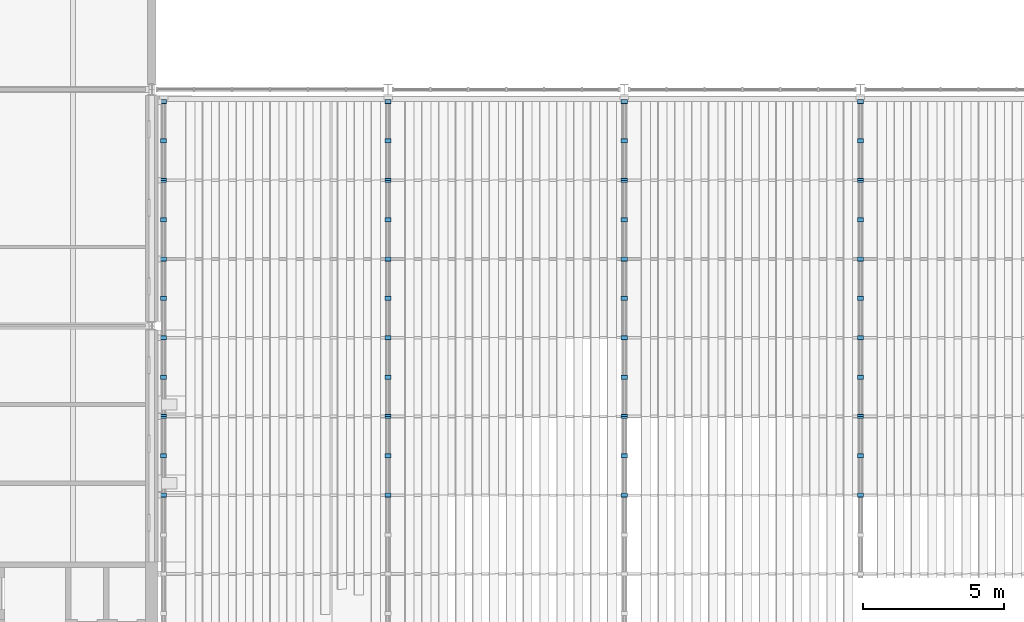
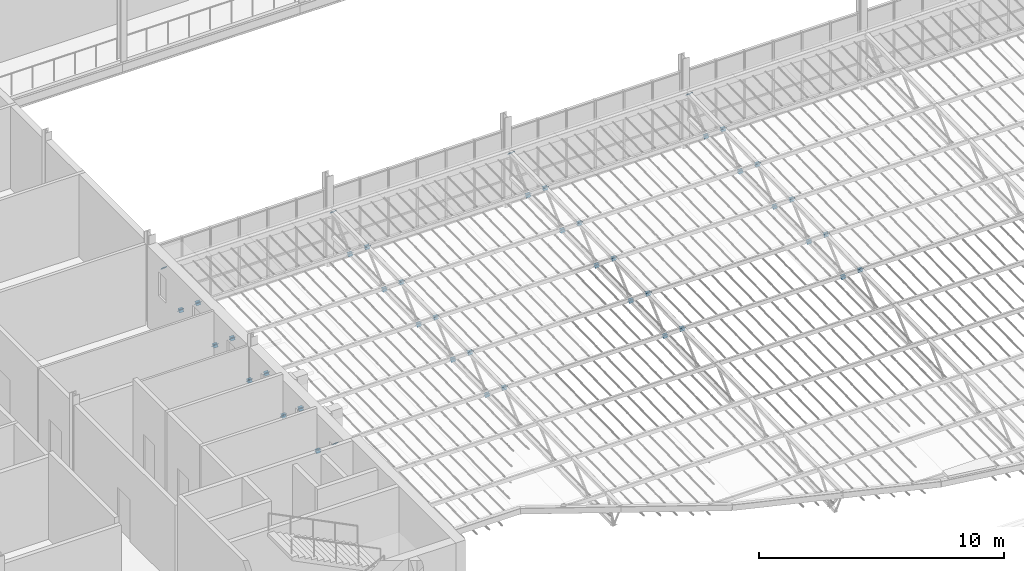
# One storey, part 103 of 129: 83 discrete accessories.
"""IFC4 building model written with IfcOpenShell, lengths in metres."""

from ifc_helpers import new_model, si_unit, direction, frame, origin, origin_2d, place, context, subcontext, project, spatial, rectangle, extrude, material, material_profile, profile_set, type_object, element, save


model = new_model("IFC4")

# Units and contexts
model_context = context("Model", 3, precision=1e-05, world=origin(), true_north=direction((0.0, 1.0)))
body_context = subcontext(model_context, "Body", "Model", "MODEL_VIEW")
ifc_project = project(units=[si_unit("LENGTHUNIT", "METRE"), si_unit("AREAUNIT", "SQUARE_METRE"), si_unit("VOLUMEUNIT", "CUBIC_METRE"), si_unit("PLANEANGLEUNIT", "RADIAN"), si_unit("MASSUNIT", "GRAM", prefix="KILO")], contexts=[model_context])

# Site, building, storey
site_placement = place(None, origin())
site = spatial("IfcSite", under=ifc_project, at=site_placement, CompositionType="ELEMENT")
building_placement = place(site_placement, origin())
building = spatial("IfcBuilding", under=site, at=building_placement, Name="Ardhachandra Cancer Care Centre", CompositionType="ELEMENT")
storey_placement = place(building_placement, frame((0.0, 0.0, 4.5)))
storey = spatial("IfcBuildingStorey", under=building, at=storey_placement, Name="L01", CompositionType="ELEMENT", Elevation=4.5)

# Discrete accessories
ifc_material = material(Name="Steel E250 (IS 2062)", Category="steel")
ifc_material_profile = material_profile(ifc_material, rectangle(XDim=0.21435546875, YDim=0.21435546875, at=origin_2d()), Name="PL 214x214x12")
ifc_profile_set = profile_set([ifc_material_profile], Name="Steel E250 (IS 2062)")
discrete_accessory_type = type_object("IfcDiscreteAccessoryType", Name="Diagonal end plate 214 x 214 x 12", PredefinedType="BRACKET", material=ifc_profile_set)
for number, where, z_axis, x_axis, name in (
    (1, (44.81494140625, 54.175048828125, 2.853515625), (0.0, -0.746295434469, -0.665614846958), (1.0, 0.0, 0.0), "Diagonal end plate Canopy truss 1 web diagonal WD18 1"),
    (2, (44.81494140625, 52.77490234375, 1.590576171875), (0.0, 0.746295434469, 0.665614846958), (-1.0, 0.0, 0.0), "Diagonal end plate Canopy truss 1 web diagonal WD18 2"),
):
    element("IfcDiscreteAccessory", number, at=place(storey_placement, frame(where, z_axis=z_axis, x_axis=x_axis)), inside=storey, type_object=discrete_accessory_type, Name=name, PredefinedType="BRACKET", context=body_context, shape_type="SweptSolid", body=[
        extrude(rectangle(XDim=0.21435546875, YDim=0.21435546875, at=origin_2d()), origin(), (0.0, 0.0, 1.0), 0.01220703125),
    ])
discrete_accessory_1_placement = place(storey_placement, frame((44.81494140625, 52.77490234375, 1.590576171875), z_axis=(0.0, -0.756363172452, 0.654151932932), x_axis=(1.0, 0.0, 0.0)))
element("IfcDiscreteAccessory", 3, at=discrete_accessory_1_placement, inside=storey, type_object=discrete_accessory_type, Name="Diagonal end plate Canopy truss 1 web diagonal WD19 1", PredefinedType="BRACKET", context=body_context, shape_type="SweptSolid", body=[
    extrude(rectangle(XDim=0.21435546875, YDim=0.21435546875, at=origin_2d()), origin(), (0.0, 0.0, 1.0), 0.011962890625),
])
discrete_accessory_2_placement = place(storey_placement, frame((44.81494140625, 51.375, 2.797607421875), z_axis=(0.0, 0.746295434469, -0.665614846958), x_axis=(-1.0, 0.0, 0.0)))
element("IfcDiscreteAccessory", 4, at=discrete_accessory_2_placement, inside=storey, type_object=discrete_accessory_type, Name="Diagonal end plate Canopy truss 1 web diagonal WD19 2", PredefinedType="BRACKET", context=body_context, shape_type="SweptSolid", body=[
    extrude(rectangle(XDim=0.21435546875, YDim=0.21435546875, at=origin_2d()), origin(), (0.0, 0.0, 1.0), 0.01220703125),
])
for number, where, z_axis, x_axis, name in (
    (5, (44.81494140625, 51.375, 2.797607421875), (0.0, -0.737154140201, -0.675724628517), (1.0, 0.0, 0.0), "Diagonal end plate Canopy truss 1 web diagonal WD20 1"),
    (6, (44.81494140625, 49.97509765625, 1.534423828125), (0.0, 0.737154140201, 0.675724628517), (-1.0, 0.0, 0.0), "Diagonal end plate Canopy truss 1 web diagonal WD20 2"),
):
    element("IfcDiscreteAccessory", number, at=place(storey_placement, frame(where, z_axis=z_axis, x_axis=x_axis)), inside=storey, type_object=discrete_accessory_type, Name=name, PredefinedType="BRACKET", context=body_context, shape_type="SweptSolid", body=[
        extrude(rectangle(XDim=0.21435546875, YDim=0.21435546875, at=origin_2d()), origin(), (0.0, 0.0, 1.0), 0.011962890625),
    ])
discrete_accessory_3_placement = place(storey_placement, frame((44.81494140625, 49.97509765625, 1.534423828125), z_axis=(0.0, -0.764911198117, 0.644135745783), x_axis=(1.0, 0.0, 0.0)))
element("IfcDiscreteAccessory", 7, at=discrete_accessory_3_placement, inside=storey, type_object=discrete_accessory_type, Name="Diagonal end plate Canopy truss 1 web diagonal WD21 1", PredefinedType="BRACKET", context=body_context, shape_type="SweptSolid", body=[
    extrude(rectangle(XDim=0.21435546875, YDim=0.21435546875, at=origin_2d()), origin(), (0.0, 0.0, 1.0), 0.01220703125),
])
for number, where, z_axis, x_axis, name in (
    (8, (44.81494140625, 48.574951171875, 2.741455078125), (0.0, 0.756363172452, -0.654151932932), (-1.0, 0.0, 0.0), "Diagonal end plate Canopy truss 1 web diagonal WD21 2"),
    (9, (44.81494140625, 48.574951171875, 2.741455078125), (0.0, -0.737154140201, -0.675724628517), (1.0, 0.0, 0.0), "Diagonal end plate Canopy truss 1 web diagonal WD22 1"),
    (10, (44.81494140625, 47.175048828125, 1.478515625), (0.0, 0.737154140201, 0.675724628517), (-1.0, 0.0, 0.0), "Diagonal end plate Canopy truss 1 web diagonal WD22 2"),
    (11, (44.81494140625, 47.175048828125, 1.478515625), (0.0, -0.756363172452, 0.654151932932), (1.0, 0.0, 0.0), "Diagonal end plate Canopy truss 1 web diagonal WD23 1"),
):
    element("IfcDiscreteAccessory", number, at=place(storey_placement, frame(where, z_axis=z_axis, x_axis=x_axis)), inside=storey, type_object=discrete_accessory_type, Name=name, PredefinedType="BRACKET", context=body_context, shape_type="SweptSolid", body=[
        extrude(rectangle(XDim=0.21435546875, YDim=0.21435546875, at=origin_2d()), origin(), (0.0, 0.0, 1.0), 0.011962890625),
    ])
discrete_accessory_4_placement = place(storey_placement, frame((44.81494140625, 45.77490234375, 2.685546875), z_axis=(0.0, 0.764911198117, -0.644135745783), x_axis=(-1.0, 0.0, 0.0)))
element("IfcDiscreteAccessory", 12, at=discrete_accessory_4_placement, inside=storey, type_object=discrete_accessory_type, Name="Diagonal end plate Canopy truss 1 web diagonal WD23 2", PredefinedType="BRACKET", context=body_context, shape_type="SweptSolid", body=[
    extrude(rectangle(XDim=0.21435546875, YDim=0.21435546875, at=origin_2d()), origin(), (0.0, 0.0, 1.0), 0.01220703125),
])
discrete_accessory_5_placement = place(storey_placement, frame((44.81494140625, 45.77490234375, 2.685546875), z_axis=(0.0, -0.737154140201, -0.675724628517), x_axis=(1.0, 0.0, 0.0)))
element("IfcDiscreteAccessory", 13, at=discrete_accessory_5_placement, inside=storey, type_object=discrete_accessory_type, Name="Diagonal end plate Canopy truss 1 web diagonal WD24 1", PredefinedType="BRACKET", context=body_context, shape_type="SweptSolid", body=[
    extrude(rectangle(XDim=0.21435546875, YDim=0.21435546875, at=origin_2d()), origin(), (0.0, 0.0, 1.0), 0.011962890625),
])
discrete_accessory_6_placement = place(storey_placement, frame((44.81494140625, 44.375, 1.422607421875), z_axis=(0.0, 0.747409318684, 0.66436383883), x_axis=(-1.0, 0.0, 0.0)))
element("IfcDiscreteAccessory", 14, at=discrete_accessory_6_placement, inside=storey, type_object=discrete_accessory_type, Name="Diagonal end plate Canopy truss 1 web diagonal WD24 2", PredefinedType="BRACKET", context=body_context, shape_type="SweptSolid", body=[
    extrude(rectangle(XDim=0.21435546875, YDim=0.21435546875, at=origin_2d()), origin(), (0.0, 0.0, 1.0), 0.01171875),
])
for number, where, z_axis, x_axis, name in (
    (15, (44.81494140625, 44.375, 1.422607421875), (0.0, -0.756363172452, 0.654151932932), (1.0, 0.0, 0.0), "Diagonal end plate Canopy truss 1 web diagonal WD25 1"),
    (16, (44.81494140625, 42.97509765625, 2.62939453125), (0.0, 0.756363172452, -0.654151932932), (-1.0, 0.0, 0.0), "Diagonal end plate Canopy truss 1 web diagonal WD25 2"),
    (17, (44.81494140625, 42.97509765625, 2.62939453125), (0.0, -0.756363172452, -0.654151932932), (1.0, 0.0, 0.0), "Diagonal end plate Canopy truss 1 web diagonal WD26 1"),
):
    element("IfcDiscreteAccessory", number, at=place(storey_placement, frame(where, z_axis=z_axis, x_axis=x_axis)), inside=storey, type_object=discrete_accessory_type, Name=name, PredefinedType="BRACKET", context=body_context, shape_type="SweptSolid", body=[
        extrude(rectangle(XDim=0.21435546875, YDim=0.21435546875, at=origin_2d()), origin(), (0.0, 0.0, 1.0), 0.011962890625),
    ])
discrete_accessory_7_placement = place(storey_placement, frame((44.81494140625, 41.574951171875, 1.366455078125), z_axis=(0.0, 0.746295434469, 0.665614846958), x_axis=(-1.0, 0.0, 0.0)))
element("IfcDiscreteAccessory", 18, at=discrete_accessory_7_placement, inside=storey, type_object=discrete_accessory_type, Name="Diagonal end plate Canopy truss 1 web diagonal WD26 2", PredefinedType="BRACKET", context=body_context, shape_type="SweptSolid", body=[
    extrude(rectangle(XDim=0.21435546875, YDim=0.21435546875, at=origin_2d()), origin(), (0.0, 0.0, 1.0), 0.01220703125),
])
discrete_accessory_8_placement = place(storey_placement, frame((44.81494140625, 41.574951171875, 1.366455078125), z_axis=(0.0, -0.756363172452, 0.654151932932), x_axis=(1.0, 0.0, 0.0)))
element("IfcDiscreteAccessory", 19, at=discrete_accessory_8_placement, inside=storey, type_object=discrete_accessory_type, Name="Diagonal end plate Canopy truss 1 web diagonal WD27 1", PredefinedType="BRACKET", context=body_context, shape_type="SweptSolid", body=[
    extrude(rectangle(XDim=0.21435546875, YDim=0.21435546875, at=origin_2d()), origin(), (0.0, 0.0, 1.0), 0.011962890625),
])
for number, where, z_axis, x_axis, name in (
    (20, (44.81494140625, 40.175048828125, 2.573486328125), (0.0, -0.746295434469, -0.665614846958), (1.0, 0.0, 0.0), "Diagonal end plate Canopy truss 1 web diagonal WD28 1"),
    (21, (52.800048828125, 54.175048828125, 2.853515625), (0.0, -0.746295434469, -0.665614846958), (1.0, 0.0, 0.0), "Diagonal end plate Canopy truss 2 web diagonal WD19 1"),
    (22, (52.800048828125, 52.77490234375, 1.590576171875), (0.0, 0.746295434469, 0.665614846958), (-1.0, 0.0, 0.0), "Diagonal end plate Canopy truss 2 web diagonal WD19 2"),
):
    element("IfcDiscreteAccessory", number, at=place(storey_placement, frame(where, z_axis=z_axis, x_axis=x_axis)), inside=storey, type_object=discrete_accessory_type, Name=name, PredefinedType="BRACKET", context=body_context, shape_type="SweptSolid", body=[
        extrude(rectangle(XDim=0.21435546875, YDim=0.21435546875, at=origin_2d()), origin(), (0.0, 0.0, 1.0), 0.01220703125),
    ])
discrete_accessory_9_placement = place(storey_placement, frame((52.800048828125, 52.77490234375, 1.590576171875), z_axis=(0.0, -0.756363172452, 0.654151932932), x_axis=(1.0, 0.0, 0.0)))
element("IfcDiscreteAccessory", 23, at=discrete_accessory_9_placement, inside=storey, type_object=discrete_accessory_type, Name="Diagonal end plate Canopy truss 2 web diagonal WD20 1", PredefinedType="BRACKET", context=body_context, shape_type="SweptSolid", body=[
    extrude(rectangle(XDim=0.21435546875, YDim=0.21435546875, at=origin_2d()), origin(), (0.0, 0.0, 1.0), 0.011962890625),
])
discrete_accessory_10_placement = place(storey_placement, frame((52.800048828125, 51.375, 2.797607421875), z_axis=(0.0, 0.746295434469, -0.665614846958), x_axis=(-1.0, 0.0, 0.0)))
element("IfcDiscreteAccessory", 24, at=discrete_accessory_10_placement, inside=storey, type_object=discrete_accessory_type, Name="Diagonal end plate Canopy truss 2 web diagonal WD20 2", PredefinedType="BRACKET", context=body_context, shape_type="SweptSolid", body=[
    extrude(rectangle(XDim=0.21435546875, YDim=0.21435546875, at=origin_2d()), origin(), (0.0, 0.0, 1.0), 0.01220703125),
])
for number, where, z_axis, x_axis, name in (
    (25, (52.800048828125, 51.375, 2.797607421875), (0.0, -0.737154140201, -0.675724628517), (1.0, 0.0, 0.0), "Diagonal end plate Canopy truss 2 web diagonal WD21 1"),
    (26, (52.800048828125, 49.97509765625, 1.534423828125), (0.0, 0.737154140201, 0.675724628517), (-1.0, 0.0, 0.0), "Diagonal end plate Canopy truss 2 web diagonal WD21 2"),
):
    element("IfcDiscreteAccessory", number, at=place(storey_placement, frame(where, z_axis=z_axis, x_axis=x_axis)), inside=storey, type_object=discrete_accessory_type, Name=name, PredefinedType="BRACKET", context=body_context, shape_type="SweptSolid", body=[
        extrude(rectangle(XDim=0.21435546875, YDim=0.21435546875, at=origin_2d()), origin(), (0.0, 0.0, 1.0), 0.011962890625),
    ])
discrete_accessory_11_placement = place(storey_placement, frame((52.800048828125, 49.97509765625, 1.534423828125), z_axis=(0.0, -0.764911198117, 0.644135745783), x_axis=(1.0, 0.0, 0.0)))
element("IfcDiscreteAccessory", 27, at=discrete_accessory_11_placement, inside=storey, type_object=discrete_accessory_type, Name="Diagonal end plate Canopy truss 2 web diagonal WD22 1", PredefinedType="BRACKET", context=body_context, shape_type="SweptSolid", body=[
    extrude(rectangle(XDim=0.21435546875, YDim=0.21435546875, at=origin_2d()), origin(), (0.0, 0.0, 1.0), 0.01220703125),
])
for number, where, z_axis, x_axis, name in (
    (28, (52.800048828125, 48.574951171875, 2.741455078125), (0.0, 0.756363172452, -0.654151932932), (-1.0, 0.0, 0.0), "Diagonal end plate Canopy truss 2 web diagonal WD22 2"),
    (29, (52.800048828125, 48.574951171875, 2.741455078125), (0.0, -0.737154140201, -0.675724628517), (1.0, 0.0, 0.0), "Diagonal end plate Canopy truss 2 web diagonal WD23 1"),
    (30, (52.800048828125, 47.175048828125, 1.478515625), (0.0, 0.737154140201, 0.675724628517), (-1.0, 0.0, 0.0), "Diagonal end plate Canopy truss 2 web diagonal WD23 2"),
    (31, (52.800048828125, 47.175048828125, 1.478515625), (0.0, -0.756363172452, 0.654151932932), (1.0, 0.0, 0.0), "Diagonal end plate Canopy truss 2 web diagonal WD24 1"),
):
    element("IfcDiscreteAccessory", number, at=place(storey_placement, frame(where, z_axis=z_axis, x_axis=x_axis)), inside=storey, type_object=discrete_accessory_type, Name=name, PredefinedType="BRACKET", context=body_context, shape_type="SweptSolid", body=[
        extrude(rectangle(XDim=0.21435546875, YDim=0.21435546875, at=origin_2d()), origin(), (0.0, 0.0, 1.0), 0.011962890625),
    ])
discrete_accessory_12_placement = place(storey_placement, frame((52.800048828125, 45.77490234375, 2.685546875), z_axis=(0.0, 0.764911198117, -0.644135745783), x_axis=(-1.0, 0.0, 0.0)))
element("IfcDiscreteAccessory", 32, at=discrete_accessory_12_placement, inside=storey, type_object=discrete_accessory_type, Name="Diagonal end plate Canopy truss 2 web diagonal WD24 2", PredefinedType="BRACKET", context=body_context, shape_type="SweptSolid", body=[
    extrude(rectangle(XDim=0.21435546875, YDim=0.21435546875, at=origin_2d()), origin(), (0.0, 0.0, 1.0), 0.01220703125),
])
discrete_accessory_13_placement = place(storey_placement, frame((52.800048828125, 45.77490234375, 2.685546875), z_axis=(0.0, -0.737154140201, -0.675724628517), x_axis=(1.0, 0.0, 0.0)))
element("IfcDiscreteAccessory", 33, at=discrete_accessory_13_placement, inside=storey, type_object=discrete_accessory_type, Name="Diagonal end plate Canopy truss 2 web diagonal WD25 1", PredefinedType="BRACKET", context=body_context, shape_type="SweptSolid", body=[
    extrude(rectangle(XDim=0.21435546875, YDim=0.21435546875, at=origin_2d()), origin(), (0.0, 0.0, 1.0), 0.011962890625),
])
discrete_accessory_14_placement = place(storey_placement, frame((52.800048828125, 44.375, 1.422607421875), z_axis=(0.0, 0.747409318684, 0.66436383883), x_axis=(-1.0, 0.0, 0.0)))
element("IfcDiscreteAccessory", 34, at=discrete_accessory_14_placement, inside=storey, type_object=discrete_accessory_type, Name="Diagonal end plate Canopy truss 2 web diagonal WD25 2", PredefinedType="BRACKET", context=body_context, shape_type="SweptSolid", body=[
    extrude(rectangle(XDim=0.21435546875, YDim=0.21435546875, at=origin_2d()), origin(), (0.0, 0.0, 1.0), 0.01171875),
])
for number, where, z_axis, x_axis, name in (
    (35, (52.800048828125, 44.375, 1.422607421875), (0.0, -0.756363172452, 0.654151932932), (1.0, 0.0, 0.0), "Diagonal end plate Canopy truss 2 web diagonal WD26 1"),
    (36, (52.800048828125, 42.97509765625, 2.62939453125), (0.0, 0.756363172452, -0.654151932932), (-1.0, 0.0, 0.0), "Diagonal end plate Canopy truss 2 web diagonal WD26 2"),
    (37, (52.800048828125, 42.97509765625, 2.62939453125), (0.0, -0.756363172452, -0.654151932932), (1.0, 0.0, 0.0), "Diagonal end plate Canopy truss 2 web diagonal WD27 1"),
):
    element("IfcDiscreteAccessory", number, at=place(storey_placement, frame(where, z_axis=z_axis, x_axis=x_axis)), inside=storey, type_object=discrete_accessory_type, Name=name, PredefinedType="BRACKET", context=body_context, shape_type="SweptSolid", body=[
        extrude(rectangle(XDim=0.21435546875, YDim=0.21435546875, at=origin_2d()), origin(), (0.0, 0.0, 1.0), 0.011962890625),
    ])
discrete_accessory_15_placement = place(storey_placement, frame((52.800048828125, 41.574951171875, 1.366455078125), z_axis=(0.0, 0.746295434469, 0.665614846958), x_axis=(-1.0, 0.0, 0.0)))
element("IfcDiscreteAccessory", 38, at=discrete_accessory_15_placement, inside=storey, type_object=discrete_accessory_type, Name="Diagonal end plate Canopy truss 2 web diagonal WD27 2", PredefinedType="BRACKET", context=body_context, shape_type="SweptSolid", body=[
    extrude(rectangle(XDim=0.21435546875, YDim=0.21435546875, at=origin_2d()), origin(), (0.0, 0.0, 1.0), 0.01220703125),
])
for number, where, z_axis, x_axis, name in (
    (39, (52.800048828125, 41.574951171875, 1.366455078125), (0.0, -0.756363172452, 0.654151932932), (1.0, 0.0, 0.0), "Diagonal end plate Canopy truss 2 web diagonal WD28 1"),
    (40, (52.800048828125, 40.175048828125, 2.573486328125), (0.0, 0.756363172452, -0.654151932932), (-1.0, 0.0, 0.0), "Diagonal end plate Canopy truss 2 web diagonal WD28 2"),
):
    element("IfcDiscreteAccessory", number, at=place(storey_placement, frame(where, z_axis=z_axis, x_axis=x_axis)), inside=storey, type_object=discrete_accessory_type, Name=name, PredefinedType="BRACKET", context=body_context, shape_type="SweptSolid", body=[
        extrude(rectangle(XDim=0.21435546875, YDim=0.21435546875, at=origin_2d()), origin(), (0.0, 0.0, 1.0), 0.011962890625),
    ])
for number, where, z_axis, x_axis, name in (
    (41, (52.800048828125, 40.175048828125, 2.573486328125), (0.0, -0.746295434469, -0.665614846958), (1.0, 0.0, 0.0), "Diagonal end plate Canopy truss 2 web diagonal WD29 1"),
    (42, (61.199951171875, 54.175048828125, 2.853515625), (0.0, -0.746295434469, -0.665614846958), (1.0, 0.0, 0.0), "Diagonal end plate Canopy truss 3 web diagonal WD22 1"),
    (43, (61.199951171875, 52.77490234375, 1.590576171875), (0.0, 0.746295434469, 0.665614846958), (-1.0, 0.0, 0.0), "Diagonal end plate Canopy truss 3 web diagonal WD22 2"),
):
    element("IfcDiscreteAccessory", number, at=place(storey_placement, frame(where, z_axis=z_axis, x_axis=x_axis)), inside=storey, type_object=discrete_accessory_type, Name=name, PredefinedType="BRACKET", context=body_context, shape_type="SweptSolid", body=[
        extrude(rectangle(XDim=0.21435546875, YDim=0.21435546875, at=origin_2d()), origin(), (0.0, 0.0, 1.0), 0.01220703125),
    ])
discrete_accessory_16_placement = place(storey_placement, frame((61.199951171875, 52.77490234375, 1.590576171875), z_axis=(0.0, -0.756363172452, 0.654151932932), x_axis=(1.0, 0.0, 0.0)))
element("IfcDiscreteAccessory", 44, at=discrete_accessory_16_placement, inside=storey, type_object=discrete_accessory_type, Name="Diagonal end plate Canopy truss 3 web diagonal WD23 1", PredefinedType="BRACKET", context=body_context, shape_type="SweptSolid", body=[
    extrude(rectangle(XDim=0.21435546875, YDim=0.21435546875, at=origin_2d()), origin(), (0.0, 0.0, 1.0), 0.011962890625),
])
discrete_accessory_17_placement = place(storey_placement, frame((61.199951171875, 51.375, 2.797607421875), z_axis=(0.0, 0.746295434469, -0.665614846958), x_axis=(-1.0, 0.0, 0.0)))
element("IfcDiscreteAccessory", 45, at=discrete_accessory_17_placement, inside=storey, type_object=discrete_accessory_type, Name="Diagonal end plate Canopy truss 3 web diagonal WD23 2", PredefinedType="BRACKET", context=body_context, shape_type="SweptSolid", body=[
    extrude(rectangle(XDim=0.21435546875, YDim=0.21435546875, at=origin_2d()), origin(), (0.0, 0.0, 1.0), 0.01220703125),
])
for number, where, z_axis, x_axis, name in (
    (46, (61.199951171875, 51.375, 2.797607421875), (0.0, -0.737154140201, -0.675724628517), (1.0, 0.0, 0.0), "Diagonal end plate Canopy truss 3 web diagonal WD24 1"),
    (47, (61.199951171875, 49.97509765625, 1.534423828125), (0.0, 0.737154140201, 0.675724628517), (-1.0, 0.0, 0.0), "Diagonal end plate Canopy truss 3 web diagonal WD24 2"),
):
    element("IfcDiscreteAccessory", number, at=place(storey_placement, frame(where, z_axis=z_axis, x_axis=x_axis)), inside=storey, type_object=discrete_accessory_type, Name=name, PredefinedType="BRACKET", context=body_context, shape_type="SweptSolid", body=[
        extrude(rectangle(XDim=0.21435546875, YDim=0.21435546875, at=origin_2d()), origin(), (0.0, 0.0, 1.0), 0.011962890625),
    ])
discrete_accessory_18_placement = place(storey_placement, frame((61.199951171875, 49.97509765625, 1.534423828125), z_axis=(0.0, -0.764911198117, 0.644135745783), x_axis=(1.0, 0.0, 0.0)))
element("IfcDiscreteAccessory", 48, at=discrete_accessory_18_placement, inside=storey, type_object=discrete_accessory_type, Name="Diagonal end plate Canopy truss 3 web diagonal WD25 1", PredefinedType="BRACKET", context=body_context, shape_type="SweptSolid", body=[
    extrude(rectangle(XDim=0.21435546875, YDim=0.21435546875, at=origin_2d()), origin(), (0.0, 0.0, 1.0), 0.01220703125),
])
for number, where, z_axis, x_axis, name in (
    (49, (61.199951171875, 48.574951171875, 2.741455078125), (0.0, 0.756363172452, -0.654151932932), (-1.0, 0.0, 0.0), "Diagonal end plate Canopy truss 3 web diagonal WD25 2"),
    (50, (61.199951171875, 48.574951171875, 2.741455078125), (0.0, -0.737154140201, -0.675724628517), (1.0, 0.0, 0.0), "Diagonal end plate Canopy truss 3 web diagonal WD26 1"),
    (51, (61.199951171875, 47.175048828125, 1.478515625), (0.0, 0.737154140201, 0.675724628517), (-1.0, 0.0, 0.0), "Diagonal end plate Canopy truss 3 web diagonal WD26 2"),
    (52, (61.199951171875, 47.175048828125, 1.478515625), (0.0, -0.756363172452, 0.654151932932), (1.0, 0.0, 0.0), "Diagonal end plate Canopy truss 3 web diagonal WD27 1"),
):
    element("IfcDiscreteAccessory", number, at=place(storey_placement, frame(where, z_axis=z_axis, x_axis=x_axis)), inside=storey, type_object=discrete_accessory_type, Name=name, PredefinedType="BRACKET", context=body_context, shape_type="SweptSolid", body=[
        extrude(rectangle(XDim=0.21435546875, YDim=0.21435546875, at=origin_2d()), origin(), (0.0, 0.0, 1.0), 0.011962890625),
    ])
discrete_accessory_19_placement = place(storey_placement, frame((61.199951171875, 45.77490234375, 2.685546875), z_axis=(0.0, 0.764911198117, -0.644135745783), x_axis=(-1.0, 0.0, 0.0)))
element("IfcDiscreteAccessory", 53, at=discrete_accessory_19_placement, inside=storey, type_object=discrete_accessory_type, Name="Diagonal end plate Canopy truss 3 web diagonal WD27 2", PredefinedType="BRACKET", context=body_context, shape_type="SweptSolid", body=[
    extrude(rectangle(XDim=0.21435546875, YDim=0.21435546875, at=origin_2d()), origin(), (0.0, 0.0, 1.0), 0.01220703125),
])
discrete_accessory_20_placement = place(storey_placement, frame((61.199951171875, 45.77490234375, 2.685546875), z_axis=(0.0, -0.737154140201, -0.675724628517), x_axis=(1.0, 0.0, 0.0)))
element("IfcDiscreteAccessory", 54, at=discrete_accessory_20_placement, inside=storey, type_object=discrete_accessory_type, Name="Diagonal end plate Canopy truss 3 web diagonal WD28 1", PredefinedType="BRACKET", context=body_context, shape_type="SweptSolid", body=[
    extrude(rectangle(XDim=0.21435546875, YDim=0.21435546875, at=origin_2d()), origin(), (0.0, 0.0, 1.0), 0.011962890625),
])
discrete_accessory_21_placement = place(storey_placement, frame((61.199951171875, 44.375, 1.422607421875), z_axis=(0.0, 0.747409318684, 0.66436383883), x_axis=(-1.0, 0.0, 0.0)))
element("IfcDiscreteAccessory", 55, at=discrete_accessory_21_placement, inside=storey, type_object=discrete_accessory_type, Name="Diagonal end plate Canopy truss 3 web diagonal WD28 2", PredefinedType="BRACKET", context=body_context, shape_type="SweptSolid", body=[
    extrude(rectangle(XDim=0.21435546875, YDim=0.21435546875, at=origin_2d()), origin(), (0.0, 0.0, 1.0), 0.01171875),
])
for number, where, z_axis, x_axis, name in (
    (56, (61.199951171875, 44.375, 1.422607421875), (0.0, -0.756363172452, 0.654151932932), (1.0, 0.0, 0.0), "Diagonal end plate Canopy truss 3 web diagonal WD29 1"),
    (57, (61.199951171875, 42.97509765625, 2.62939453125), (0.0, 0.756363172452, -0.654151932932), (-1.0, 0.0, 0.0), "Diagonal end plate Canopy truss 3 web diagonal WD29 2"),
    (58, (61.199951171875, 42.97509765625, 2.62939453125), (0.0, -0.756363172452, -0.654151932932), (1.0, 0.0, 0.0), "Diagonal end plate Canopy truss 3 web diagonal WD30 1"),
):
    element("IfcDiscreteAccessory", number, at=place(storey_placement, frame(where, z_axis=z_axis, x_axis=x_axis)), inside=storey, type_object=discrete_accessory_type, Name=name, PredefinedType="BRACKET", context=body_context, shape_type="SweptSolid", body=[
        extrude(rectangle(XDim=0.21435546875, YDim=0.21435546875, at=origin_2d()), origin(), (0.0, 0.0, 1.0), 0.011962890625),
    ])
discrete_accessory_22_placement = place(storey_placement, frame((61.199951171875, 41.574951171875, 1.366455078125), z_axis=(0.0, 0.746295434469, 0.665614846958), x_axis=(-1.0, 0.0, 0.0)))
element("IfcDiscreteAccessory", 59, at=discrete_accessory_22_placement, inside=storey, type_object=discrete_accessory_type, Name="Diagonal end plate Canopy truss 3 web diagonal WD30 2", PredefinedType="BRACKET", context=body_context, shape_type="SweptSolid", body=[
    extrude(rectangle(XDim=0.21435546875, YDim=0.21435546875, at=origin_2d()), origin(), (0.0, 0.0, 1.0), 0.01220703125),
])
for number, where, z_axis, x_axis, name in (
    (60, (61.199951171875, 41.574951171875, 1.366455078125), (0.0, -0.756363172452, 0.654151932932), (1.0, 0.0, 0.0), "Diagonal end plate Canopy truss 3 web diagonal WD31 1"),
    (61, (61.199951171875, 40.175048828125, 2.573486328125), (0.0, 0.756363172452, -0.654151932932), (-1.0, 0.0, 0.0), "Diagonal end plate Canopy truss 3 web diagonal WD31 2"),
):
    element("IfcDiscreteAccessory", number, at=place(storey_placement, frame(where, z_axis=z_axis, x_axis=x_axis)), inside=storey, type_object=discrete_accessory_type, Name=name, PredefinedType="BRACKET", context=body_context, shape_type="SweptSolid", body=[
        extrude(rectangle(XDim=0.21435546875, YDim=0.21435546875, at=origin_2d()), origin(), (0.0, 0.0, 1.0), 0.011962890625),
    ])
for number, where, z_axis, x_axis, name in (
    (62, (61.199951171875, 40.175048828125, 2.573486328125), (0.0, -0.746295434469, -0.665614846958), (1.0, 0.0, 0.0), "Diagonal end plate Canopy truss 3 web diagonal WD32 1"),
    (63, (69.60009765625, 54.175048828125, 2.853515625), (0.0, -0.746295434469, -0.665614846958), (1.0, 0.0, 0.0), "Diagonal end plate Canopy truss 4 web diagonal WD23 1"),
    (64, (69.60009765625, 52.77490234375, 1.590576171875), (0.0, 0.746295434469, 0.665614846958), (-1.0, 0.0, 0.0), "Diagonal end plate Canopy truss 4 web diagonal WD23 2"),
):
    element("IfcDiscreteAccessory", number, at=place(storey_placement, frame(where, z_axis=z_axis, x_axis=x_axis)), inside=storey, type_object=discrete_accessory_type, Name=name, PredefinedType="BRACKET", context=body_context, shape_type="SweptSolid", body=[
        extrude(rectangle(XDim=0.21435546875, YDim=0.21435546875, at=origin_2d()), origin(), (0.0, 0.0, 1.0), 0.01220703125),
    ])
discrete_accessory_23_placement = place(storey_placement, frame((69.60009765625, 52.77490234375, 1.590576171875), z_axis=(0.0, -0.756363172452, 0.654151932932), x_axis=(1.0, 0.0, 0.0)))
element("IfcDiscreteAccessory", 65, at=discrete_accessory_23_placement, inside=storey, type_object=discrete_accessory_type, Name="Diagonal end plate Canopy truss 4 web diagonal WD24 1", PredefinedType="BRACKET", context=body_context, shape_type="SweptSolid", body=[
    extrude(rectangle(XDim=0.21435546875, YDim=0.21435546875, at=origin_2d()), origin(), (0.0, 0.0, 1.0), 0.011962890625),
])
discrete_accessory_24_placement = place(storey_placement, frame((69.60009765625, 51.375, 2.797607421875), z_axis=(0.0, 0.746295434469, -0.665614846958), x_axis=(-1.0, 0.0, 0.0)))
element("IfcDiscreteAccessory", 66, at=discrete_accessory_24_placement, inside=storey, type_object=discrete_accessory_type, Name="Diagonal end plate Canopy truss 4 web diagonal WD24 2", PredefinedType="BRACKET", context=body_context, shape_type="SweptSolid", body=[
    extrude(rectangle(XDim=0.21435546875, YDim=0.21435546875, at=origin_2d()), origin(), (0.0, 0.0, 1.0), 0.01220703125),
])
for number, where, z_axis, x_axis, name in (
    (67, (69.60009765625, 51.375, 2.797607421875), (0.0, -0.737154140201, -0.675724628517), (1.0, 0.0, 0.0), "Diagonal end plate Canopy truss 4 web diagonal WD25 1"),
    (68, (69.60009765625, 49.97509765625, 1.534423828125), (0.0, 0.737154140201, 0.675724628517), (-1.0, 0.0, 0.0), "Diagonal end plate Canopy truss 4 web diagonal WD25 2"),
):
    element("IfcDiscreteAccessory", number, at=place(storey_placement, frame(where, z_axis=z_axis, x_axis=x_axis)), inside=storey, type_object=discrete_accessory_type, Name=name, PredefinedType="BRACKET", context=body_context, shape_type="SweptSolid", body=[
        extrude(rectangle(XDim=0.21435546875, YDim=0.21435546875, at=origin_2d()), origin(), (0.0, 0.0, 1.0), 0.011962890625),
    ])
discrete_accessory_25_placement = place(storey_placement, frame((69.60009765625, 49.97509765625, 1.534423828125), z_axis=(0.0, -0.764911198117, 0.644135745783), x_axis=(1.0, 0.0, 0.0)))
element("IfcDiscreteAccessory", 69, at=discrete_accessory_25_placement, inside=storey, type_object=discrete_accessory_type, Name="Diagonal end plate Canopy truss 4 web diagonal WD26 1", PredefinedType="BRACKET", context=body_context, shape_type="SweptSolid", body=[
    extrude(rectangle(XDim=0.21435546875, YDim=0.21435546875, at=origin_2d()), origin(), (0.0, 0.0, 1.0), 0.01220703125),
])
for number, where, z_axis, x_axis, name in (
    (70, (69.60009765625, 48.574951171875, 2.741455078125), (0.0, 0.756363172452, -0.654151932932), (-1.0, 0.0, 0.0), "Diagonal end plate Canopy truss 4 web diagonal WD26 2"),
    (71, (69.60009765625, 48.574951171875, 2.741455078125), (0.0, -0.737154140201, -0.675724628517), (1.0, 0.0, 0.0), "Diagonal end plate Canopy truss 4 web diagonal WD27 1"),
    (72, (69.60009765625, 47.175048828125, 1.478515625), (0.0, 0.737154140201, 0.675724628517), (-1.0, 0.0, 0.0), "Diagonal end plate Canopy truss 4 web diagonal WD27 2"),
    (73, (69.60009765625, 47.175048828125, 1.478515625), (0.0, -0.756363172452, 0.654151932932), (1.0, 0.0, 0.0), "Diagonal end plate Canopy truss 4 web diagonal WD28 1"),
):
    element("IfcDiscreteAccessory", number, at=place(storey_placement, frame(where, z_axis=z_axis, x_axis=x_axis)), inside=storey, type_object=discrete_accessory_type, Name=name, PredefinedType="BRACKET", context=body_context, shape_type="SweptSolid", body=[
        extrude(rectangle(XDim=0.21435546875, YDim=0.21435546875, at=origin_2d()), origin(), (0.0, 0.0, 1.0), 0.011962890625),
    ])
discrete_accessory_26_placement = place(storey_placement, frame((69.60009765625, 45.77490234375, 2.685546875), z_axis=(0.0, 0.764911198117, -0.644135745783), x_axis=(-1.0, 0.0, 0.0)))
element("IfcDiscreteAccessory", 74, at=discrete_accessory_26_placement, inside=storey, type_object=discrete_accessory_type, Name="Diagonal end plate Canopy truss 4 web diagonal WD28 2", PredefinedType="BRACKET", context=body_context, shape_type="SweptSolid", body=[
    extrude(rectangle(XDim=0.21435546875, YDim=0.21435546875, at=origin_2d()), origin(), (0.0, 0.0, 1.0), 0.01220703125),
])
discrete_accessory_27_placement = place(storey_placement, frame((69.60009765625, 45.77490234375, 2.685546875), z_axis=(0.0, -0.737154140201, -0.675724628517), x_axis=(1.0, 0.0, 0.0)))
element("IfcDiscreteAccessory", 75, at=discrete_accessory_27_placement, inside=storey, type_object=discrete_accessory_type, Name="Diagonal end plate Canopy truss 4 web diagonal WD29 1", PredefinedType="BRACKET", context=body_context, shape_type="SweptSolid", body=[
    extrude(rectangle(XDim=0.21435546875, YDim=0.21435546875, at=origin_2d()), origin(), (0.0, 0.0, 1.0), 0.011962890625),
])
discrete_accessory_28_placement = place(storey_placement, frame((69.60009765625, 44.375, 1.422607421875), z_axis=(0.0, 0.747409318684, 0.66436383883), x_axis=(-1.0, 0.0, 0.0)))
element("IfcDiscreteAccessory", 76, at=discrete_accessory_28_placement, inside=storey, type_object=discrete_accessory_type, Name="Diagonal end plate Canopy truss 4 web diagonal WD29 2", PredefinedType="BRACKET", context=body_context, shape_type="SweptSolid", body=[
    extrude(rectangle(XDim=0.21435546875, YDim=0.21435546875, at=origin_2d()), origin(), (0.0, 0.0, 1.0), 0.01171875),
])
for number, where, z_axis, x_axis, name in (
    (77, (69.60009765625, 44.375, 1.422607421875), (0.0, -0.756363172452, 0.654151932932), (1.0, 0.0, 0.0), "Diagonal end plate Canopy truss 4 web diagonal WD30 1"),
    (78, (69.60009765625, 42.97509765625, 2.62939453125), (0.0, 0.756363172452, -0.654151932932), (-1.0, 0.0, 0.0), "Diagonal end plate Canopy truss 4 web diagonal WD30 2"),
    (79, (69.60009765625, 42.97509765625, 2.62939453125), (0.0, -0.756363172452, -0.654151932932), (1.0, 0.0, 0.0), "Diagonal end plate Canopy truss 4 web diagonal WD31 1"),
):
    element("IfcDiscreteAccessory", number, at=place(storey_placement, frame(where, z_axis=z_axis, x_axis=x_axis)), inside=storey, type_object=discrete_accessory_type, Name=name, PredefinedType="BRACKET", context=body_context, shape_type="SweptSolid", body=[
        extrude(rectangle(XDim=0.21435546875, YDim=0.21435546875, at=origin_2d()), origin(), (0.0, 0.0, 1.0), 0.011962890625),
    ])
discrete_accessory_29_placement = place(storey_placement, frame((69.60009765625, 41.574951171875, 1.366455078125), z_axis=(0.0, 0.746295434469, 0.665614846958), x_axis=(-1.0, 0.0, 0.0)))
element("IfcDiscreteAccessory", 80, at=discrete_accessory_29_placement, inside=storey, type_object=discrete_accessory_type, Name="Diagonal end plate Canopy truss 4 web diagonal WD31 2", PredefinedType="BRACKET", context=body_context, shape_type="SweptSolid", body=[
    extrude(rectangle(XDim=0.21435546875, YDim=0.21435546875, at=origin_2d()), origin(), (0.0, 0.0, 1.0), 0.01220703125),
])
for number, where, z_axis, x_axis, name in (
    (81, (69.60009765625, 41.574951171875, 1.366455078125), (0.0, -0.756363172452, 0.654151932932), (1.0, 0.0, 0.0), "Diagonal end plate Canopy truss 4 web diagonal WD32 1"),
    (82, (69.60009765625, 40.175048828125, 2.573486328125), (0.0, 0.756363172452, -0.654151932932), (-1.0, 0.0, 0.0), "Diagonal end plate Canopy truss 4 web diagonal WD32 2"),
):
    element("IfcDiscreteAccessory", number, at=place(storey_placement, frame(where, z_axis=z_axis, x_axis=x_axis)), inside=storey, type_object=discrete_accessory_type, Name=name, PredefinedType="BRACKET", context=body_context, shape_type="SweptSolid", body=[
        extrude(rectangle(XDim=0.21435546875, YDim=0.21435546875, at=origin_2d()), origin(), (0.0, 0.0, 1.0), 0.011962890625),
    ])
discrete_accessory_30_placement = place(storey_placement, frame((69.60009765625, 40.175048828125, 2.573486328125), z_axis=(0.0, -0.746295434469, -0.665614846958), x_axis=(1.0, 0.0, 0.0)))
element("IfcDiscreteAccessory", 83, at=discrete_accessory_30_placement, inside=storey, type_object=discrete_accessory_type, Name="Diagonal end plate Canopy truss 4 web diagonal WD33 1", PredefinedType="BRACKET", context=body_context, shape_type="SweptSolid", body=[
    extrude(rectangle(XDim=0.21435546875, YDim=0.21435546875, at=origin_2d()), origin(), (0.0, 0.0, 1.0), 0.01220703125),
])

save(model, "model.ifc")
